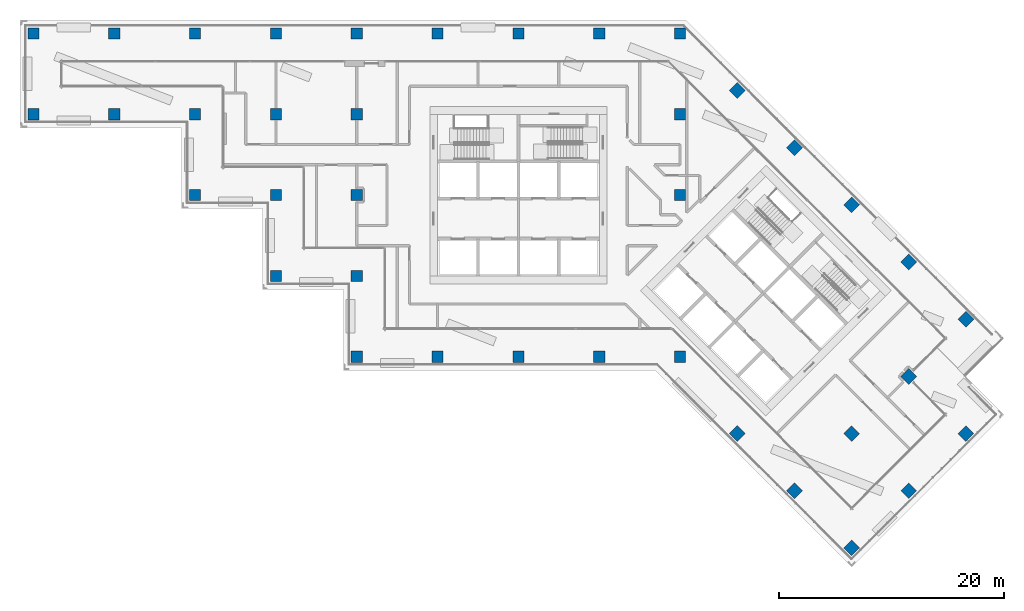
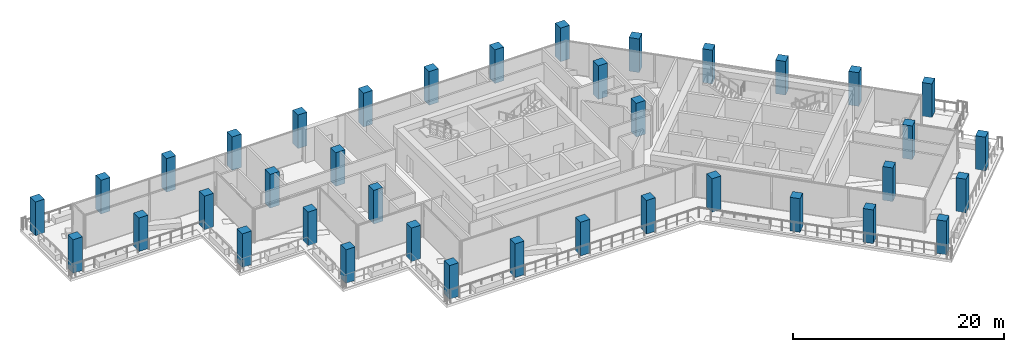
# One storey, part 1 of 21: 38 columns.
"""IFC4 building model written with IfcOpenShell, lengths in metres."""

from ifc_helpers import new_model, si_unit, direction, frame, origin, origin_2d, place, context, subcontext, project, spatial, rectangle, extrude, material, material_profile, profile_set, type_object, element, save


model = new_model("IFC4")

# Units and contexts
model_context = context("Model", 3, precision=1e-05, world=origin(), true_north=direction((0.0, 1.0)))
body_context = subcontext(model_context, "Body", "Model", "MODEL_VIEW")
ifc_project = project(units=[si_unit("LENGTHUNIT", "METRE"), si_unit("AREAUNIT", "SQUARE_METRE"), si_unit("VOLUMEUNIT", "CUBIC_METRE"), si_unit("PLANEANGLEUNIT", "RADIAN"), si_unit("MASSUNIT", "GRAM", prefix="KILO")], contexts=[model_context])

# Site, building, storey
site_placement = place(None, origin())
site = spatial("IfcSite", under=ifc_project, at=site_placement, CompositionType="ELEMENT")
building_placement = place(site_placement, origin())
building = spatial("IfcBuilding", under=site, at=building_placement, Name="Windrow Commons", CompositionType="ELEMENT")
storey_placement = place(building_placement, frame((0.0, 0.0, 131.2)))
storey = spatial("IfcBuildingStorey", under=building, at=storey_placement, Name="L35", CompositionType="ELEMENT", Elevation=131.2)

# Columns
ifc_material = material(Name="Concrete C60/75", Category="concrete")
ifc_material_profile = material_profile(ifc_material, rectangle(XDim=1.0, YDim=1.0, at=origin_2d()))
ifc_profile_set = profile_set([ifc_material_profile], Name="Concrete C60/75")
column_type = type_object("IfcColumnType", Name="RC COLUMN 1000x1000 C60/75", PredefinedType="COLUMN", material=ifc_profile_set)
for number, where, z_axis, x_axis, name in (
    (1, (21.6, 64.8, 0.0), (0.0, 0.0, 1.0), (1.0, 0.0, 0.0), "C-SG2-04I"),
    (2, (21.6, 72.0, 0.0), (0.0, 0.0, 1.0), (1.0, 0.0, 0.0), "C-SG2-04J"),
    (3, (28.8, 64.8, 0.0), (0.0, 0.0, 1.0), (1.0, 0.0, 0.0), "C-SG2-05I"),
    (4, (28.8, 72.0, 0.0), (0.0, 0.0, 1.0), (1.0, 0.0, 0.0), "C-SG2-05J"),
    (5, (36.0, 57.6, 0.0), (0.0, 0.0, 1.0), (1.0, 0.0, 0.0), "C-SG2-06H"),
    (6, (36.0, 64.8, 0.0), (0.0, 0.0, 1.0), (1.0, 0.0, 0.0), "C-SG2-06I"),
    (7, (36.0, 72.0, 0.0), (0.0, 0.0, 1.0), (1.0, 0.0, 0.0), "C-SG2-06J"),
    (8, (43.2, 50.4, 0.0), (0.0, 0.0, 1.0), (1.0, 0.0, 0.0), "C-SG2-07G"),
    (9, (43.2, 57.6, 0.0), (0.0, 0.0, 1.0), (1.0, 0.0, 0.0), "C-SG2-07H"),
    (10, (43.2, 64.8, 0.0), (0.0, 0.0, 1.0), (1.0, 0.0, 0.0), "C-SG2-07I"),
    (11, (43.2, 72.0, 0.0), (0.0, 0.0, 1.0), (1.0, 0.0, 0.0), "C-SG2-07J"),
    (12, (50.4, 43.2, 0.0), (0.0, 0.0, 1.0), (1.0, 0.0, 0.0), "C-SG2-08F"),
    (13, (50.4, 50.4, 0.0), (0.0, 0.0, 1.0), (1.0, 0.0, 0.0), "C-SG2-08G"),
    (14, (50.4, 57.6, 0.0), (0.0, 0.0, 1.0), (1.0, 0.0, 0.0), "C-SG2-08H"),
    (15, (50.4, 64.8, 0.0), (0.0, 0.0, 1.0), (1.0, 0.0, 0.0), "C-SG2-08I"),
    (16, (50.4, 72.0, 0.0), (0.0, 0.0, 1.0), (1.0, 0.0, 0.0), "C-SG2-08J"),
    (17, (57.6, 43.2, 0.0), (0.0, 0.0, 1.0), (1.0, 0.0, 0.0), "C-SG2-09F"),
    (18, (57.6, 72.0, 0.0), (0.0, 0.0, 1.0), (1.0, 0.0, 0.0), "C-SG2-09J"),
    (19, (64.8, 43.2, 0.0), (0.0, 0.0, 1.0), (1.0, 0.0, 0.0), "C-SG2-10F"),
    (20, (64.8, 72.0, 0.0), (0.0, 0.0, 1.0), (1.0, 0.0, 0.0), "C-SG2-10J"),
    (21, (72.0, 43.2, 0.0), (0.0, 0.0, 1.0), (1.0, 0.0, 0.0), "C-SG2-11F"),
    (22, (72.0, 72.0, 0.0), (0.0, 0.0, 1.0), (1.0, 0.0, 0.0), "C-SG2-11J"),
    (23, (79.2, 43.2, 0.0), (0.0, 0.0, 1.0), (1.0, 0.0, 0.0), "C-SG2-12F"),
    (24, (79.2, 57.6, 0.0), (0.0, 0.0, 1.0), (1.0, 0.0, 0.0), "C-SG2-12H"),
    (25, (79.2, 64.8, 0.0), (0.0, 0.0, 1.0), (1.0, 0.0, 0.0), "C-SG2-12I"),
    (26, (79.2, 72.0, 0.0), (0.0, 0.0, 1.0), (1.0, 0.0, 0.0), "C-SG2-12J"),
    (27, (84.2912, 66.9088, 0.0), (0.0, 0.0, 1.0), (0.7071067812, -0.7071067812, 0.0), "C-SG2-P2Q"),
    (28, (89.3823, 61.8177, 0.0), (0.0, 0.0, 1.0), (0.7071067812, -0.7071067812, 0.0), "C-SG2-P3Q"),
    (29, (94.4735, 56.7265, 0.0), (0.0, 0.0, 1.0), (0.7071067812, -0.7071067812, 0.0), "C-SG2-P4Q"),
    (30, (99.5647, 51.6353, 0.0), (0.0, 0.0, 1.0), (0.7071067812, -0.7071067812, 0.0), "C-SG2-P5Q"),
    (31, (84.2912, 36.3618, 0.0), (0.0, 0.0, 1.0), (0.7071067812, -0.7071067812, 0.0), "C-SG2-P5T"),
    (32, (104.6558, 46.5442, 0.0), (0.0, 0.0, 1.0), (0.7071067812, -0.7071067812, 0.0), "C-SG2-P6Q"),
    (33, (99.5647, 41.453, 0.0), (0.0, 0.0, 1.0), (0.7071067812, -0.7071067812, 0.0), "C-SG2-P6R"),
    (34, (94.4735, 36.3618, 0.0), (0.0, 0.0, 1.0), (0.7071067812, -0.7071067812, 0.0), "C-SG2-P6S"),
    (35, (89.3823, 31.2706, 0.0), (0.0, 0.0, 1.0), (0.7071067812, -0.7071067812, 0.0), "C-SG2-P6T"),
    (36, (104.6558, 36.3618, 0.0), (0.0, 0.0, 1.0), (0.7071067812, -0.7071067812, 0.0), "C-SG2-P7R"),
    (37, (99.5647, 31.2706, 0.0), (0.0, 0.0, 1.0), (0.7071067812, -0.7071067812, 0.0), "C-SG2-P7S"),
    (38, (94.4735, 26.1795, 0.0), (0.0, 0.0, 1.0), (0.7071067812, -0.7071067812, 0.0), "C-SG2-P7T"),
):
    element("IfcColumn", number, at=place(storey_placement, frame(where, z_axis=z_axis, x_axis=x_axis)), inside=storey, type_object=column_type, Name=name, PredefinedType="COLUMN", context=body_context, shape_type="SweptSolid", body=[
        extrude(rectangle(XDim=1.0, YDim=1.0, at=origin_2d()), origin(), (0.0, 0.0, 1.0), 3.9),
    ])

save(model, "model.ifc")
